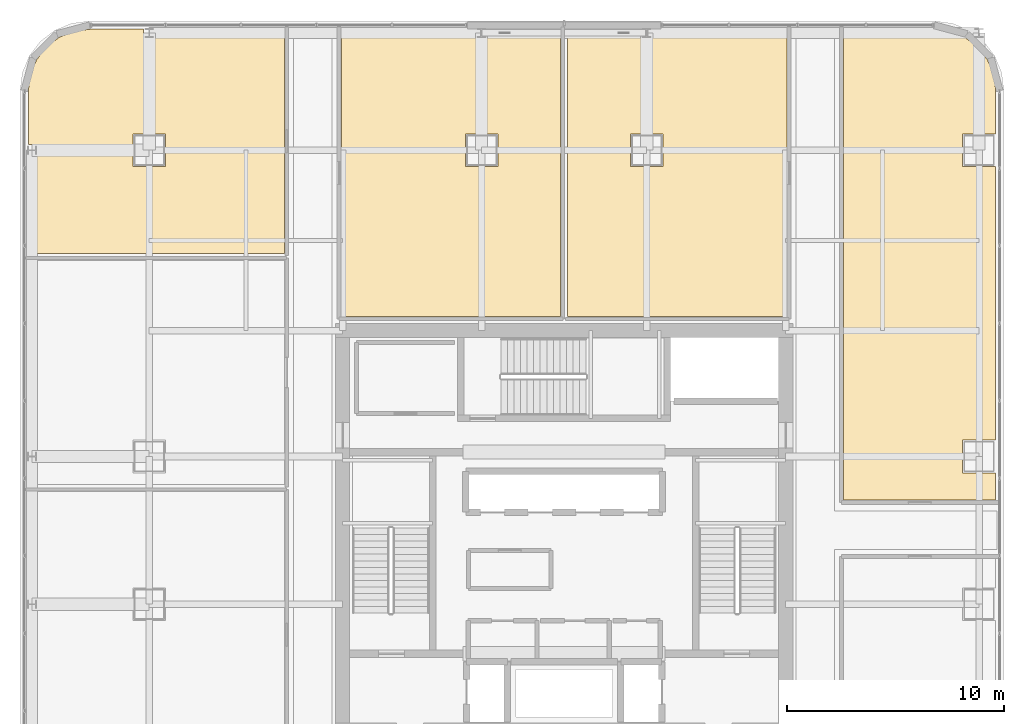
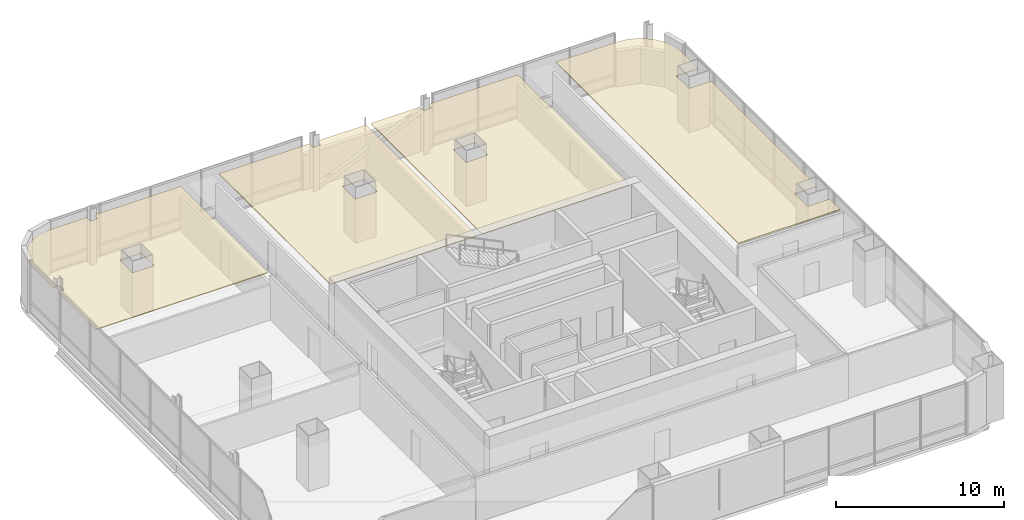
# One storey, part 37 of 38: 4 coverings.
"""IFC4 building model written with IfcOpenShell, lengths in metres."""

from ifc_helpers import new_model, si_unit, direction, frame, origin, place, context, subcontext, project, spatial, polyline, outline, extrude, material, layer, layer_set, type_object, element, save


model = new_model("IFC4")

# Units and contexts
model_context = context("Model", 3, precision=1e-05, world=origin(), true_north=direction((0.0, 1.0)))
body_context = subcontext(model_context, "Body", "Model", "MODEL_VIEW")
ifc_project = project(units=[si_unit("LENGTHUNIT", "METRE"), si_unit("AREAUNIT", "SQUARE_METRE"), si_unit("VOLUMEUNIT", "CUBIC_METRE"), si_unit("PLANEANGLEUNIT", "RADIAN"), si_unit("MASSUNIT", "GRAM", prefix="KILO")], contexts=[model_context])

# Site, building, storey
site_placement = place(None, origin())
site = spatial("IfcSite", under=ifc_project, at=site_placement, CompositionType="ELEMENT")
building_placement = place(site_placement, origin())
building = spatial("IfcBuilding", under=site, at=building_placement, Name="Punatoya Terracotta Tower", CompositionType="ELEMENT")
storey_placement = place(building_placement, frame((0.0, 0.0, 156.0)))
storey = spatial("IfcBuildingStorey", under=building, at=storey_placement, Name="L36", CompositionType="ELEMENT", Elevation=156.0)

# Coverings
ifc_material = material(Name="Acoustic Mineral Fibre Ceiling")
ifc_layer = layer(ifc_material, 0.06005859375)
ifc_layer_set = layer_set([ifc_layer], Name="Acoustic Mineral Fibre Ceiling")
covering_type = type_object("IfcCoveringType", Name="COV-CEIL-60", PredefinedType="CEILING", material=ifc_layer_set)
covering_1_placement = place(storey_placement, frame((0.0, 0.0, 3.219970703125)))
element("IfcCovering", 1, at=covering_1_placement, inside=storey, type_object=covering_type, Name="L36 Digital Reference Library Acoustic Ceiling", PredefinedType="CEILING", context=body_context, shape_type="SweptSolid", body=[
    extrude(outline(polyline([(17.779052734375, 22.970703125), (17.025146484375, 23.070068359375), (12.8701171875, 23.070068359375), (12.8701171875, 1.389892578125), (19.8701171875, 1.389892578125), (19.8701171875, 2.64990234375), (18.35009765625, 2.64990234375), (18.35009765625, 4.14990234375), (19.8701171875, 4.14990234375), (19.8701171875, 16.75), (18.35009765625, 16.75), (18.35009765625, 18.25), (19.8701171875, 18.25), (19.8701171875, 20.22509765625), (19.770751953125, 20.97900390625), (19.489501953125, 21.658203125), (19.041748046875, 22.24169921875), (18.458251953125, 22.689453125), (17.779052734375, 22.970703125)])), origin(), (0.0, 0.0, 1.0), 0.06005859375),
])
covering_2_placement = place(storey_placement, frame((0.0, 0.0, 3.219970703125)))
element("IfcCovering", 2, at=covering_2_placement, inside=storey, type_object=covering_type, Name="L36 Open-Plan Staff Tea Pantry Acoustic Ceiling", PredefinedType="CEILING", context=body_context, shape_type="SweptSolid", body=[
    extrude(outline(polyline([(-3.54541015625, 23.070068359375), (-3.54541015625, 22.637451171875), (-4.054443359375, 22.637451171875), (-4.054443359375, 23.070068359375), (-10.260009765625, 23.070068359375), (-10.260009765625, 9.840087890625), (-0.159912109375, 9.840087890625), (-0.159912109375, 23.070068359375), (-3.54541015625, 23.070068359375)]), holes=[polyline([(-4.550048828125, 16.75), (-4.550048828125, 18.25), (-3.050048828125, 18.25), (-3.050048828125, 16.75), (-4.550048828125, 16.75)])]), origin(), (0.0, 0.0, 1.0), 0.06005859375),
])
covering_3_placement = place(storey_placement, frame((0.0, 0.0, 3.219970703125)))
element("IfcCovering", 3, at=covering_3_placement, inside=storey, type_object=covering_type, Name="L36 Open-Plan Wellness Quiet Room Acoustic Ceiling", PredefinedType="CEILING", context=body_context, shape_type="SweptSolid", body=[
    extrude(outline(polyline([(10.260009765625, 9.840087890625), (10.260009765625, 23.070068359375), (4.054443359375, 23.070068359375), (4.054443359375, 22.637451171875), (3.54541015625, 22.637451171875), (3.54541015625, 23.070068359375), (0.159912109375, 23.070068359375), (0.159912109375, 9.840087890625), (10.260009765625, 9.840087890625)]), holes=[polyline([(4.550048828125, 16.75), (3.050048828125, 16.75), (3.050048828125, 18.25), (4.550048828125, 18.25), (4.550048828125, 16.75)])]), origin(), (0.0, 0.0, 1.0), 0.06005859375),
])
covering_4_placement = place(storey_placement, frame((0.0, 0.0, 3.219970703125)))
element("IfcCovering", 4, at=covering_4_placement, inside=storey, type_object=covering_type, Name="L36 Open-Plan Systems Engineering Office Acoustic Ceiling", PredefinedType="CEILING", context=body_context, shape_type="SweptSolid", body=[
    extrude(outline(polyline([(-18.845458984375, 23.070068359375), (-18.845458984375, 22.637451171875), (-19.3544921875, 22.637451171875), (-19.3544921875, 23.070068359375), (-21.8251953125, 23.070068359375), (-22.5791015625, 22.970703125), (-23.25830078125, 22.689453125), (-23.841796875, 22.24169921875), (-24.289306640625, 21.658203125), (-24.57080078125, 20.97900390625), (-24.669921875, 20.22509765625), (-24.669921875, 17.762451171875), (-24.24560546875, 17.762451171875), (-24.24560546875, 17.237548828125), (-24.669921875, 17.237548828125), (-24.669921875, 12.75), (-12.8701171875, 12.75), (-12.8701171875, 23.070068359375), (-18.845458984375, 23.070068359375)]), holes=[polyline([(-19.85009765625, 18.25), (-18.35009765625, 18.25), (-18.35009765625, 16.75), (-19.85009765625, 16.75), (-19.85009765625, 18.25)])]), origin(), (0.0, 0.0, 1.0), 0.06005859375),
])

save(model, "model.ifc")
